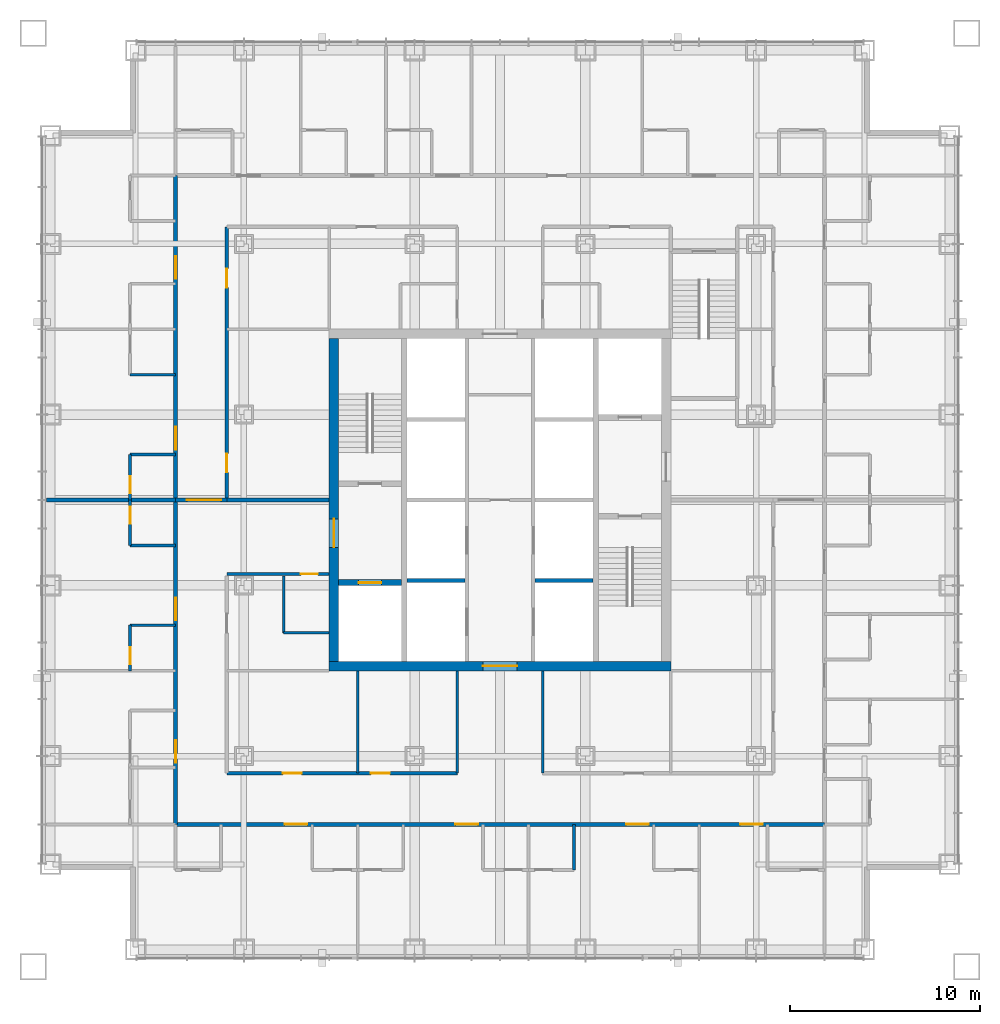
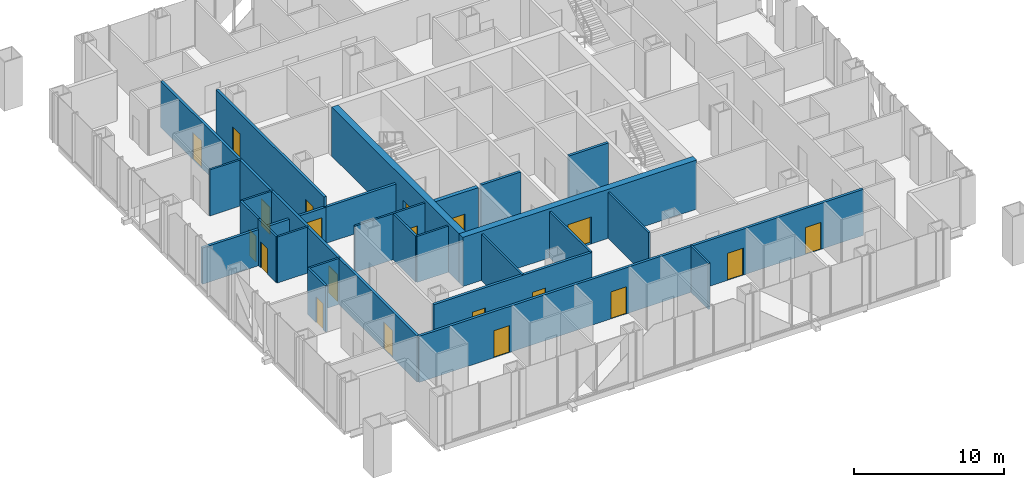
# One storey, part 9 of 18: 26 walls, 20 doors, 20 openings.
"""IFC4 building model written with IfcOpenShell, lengths in metres."""

from ifc_helpers import new_model, si_unit, direction, frame, frame_2d, origin, place, context, subcontext, project, spatial, rectangle, extrude, material, layer, layer_set, type_object, element, fill, save


model = new_model("IFC4")

# Units and contexts
model_context = context("Model", 3, precision=1e-05, world=origin(), true_north=direction((0.0, 1.0)))
body_context = subcontext(model_context, "Body", "Model", "MODEL_VIEW")
ifc_project = project(units=[si_unit("LENGTHUNIT", "METRE"), si_unit("AREAUNIT", "SQUARE_METRE"), si_unit("VOLUMEUNIT", "CUBIC_METRE"), si_unit("PLANEANGLEUNIT", "RADIAN"), si_unit("MASSUNIT", "GRAM", prefix="KILO")], contexts=[model_context])

# Site, building, storey
site_placement = place(None, origin())
site = spatial("IfcSite", under=ifc_project, at=site_placement, CompositionType="ELEMENT")
building_placement = place(site_placement, origin())
building = spatial("IfcBuilding", under=site, at=building_placement, Name="Malebo Sky Hospital", CompositionType="ELEMENT")
storey_placement = place(building_placement, frame((0.0, 0.0, 112.0)))
storey = spatial("IfcBuildingStorey", under=building, at=storey_placement, Name="L26", CompositionType="ELEMENT", Elevation=112.0)

# Walls
ifc_material_1 = material(Name="Concrete C80/95", Category="concrete")
ifc_layer_1 = layer(ifc_material_1, 0.199951171875)
ifc_layer_set_1 = layer_set([ifc_layer_1], Name="CORE INNER WALL 200")
wall_type_1 = type_object("IfcWallType", Name="CORE INNER WALL 200", PredefinedType="SHEAR", material=ifc_layer_set_1)
for number, where, z_axis, x_axis, name in (
    (1, (55.10009765625, 57.75, 0.0), (0.0, 0.0, 1.0), (1.0, 0.0, 0.0), "Core wall SW0 L26"),
    (2, (61.85009765625, 57.75, 0.0), (0.0, 0.0, 1.0), (1.0, 0.0, 0.0), "Core wall SE0 L26"),
):
    element("IfcWall", number, at=place(storey_placement, frame(where, z_axis=z_axis, x_axis=x_axis)), inside=storey, type_object=wall_type_1, Name=name, PredefinedType="SHEAR", context=body_context, shape_type="SweptSolid", body=[
        extrude(rectangle(XDim=3.0498046875, YDim=0.199951171875, at=frame_2d((1.52490234375, 0.0))), origin(), (0.0, 0.0, 1.0), 4.0),
    ])

# Wall, opening, door
ifc_layer_2 = layer(ifc_material_1, 0.300048828125)
ifc_layer_set_2 = layer_set([ifc_layer_2], Name="CORE INNER WALL 300")
wall_type_2 = type_object("IfcWallType", Name="CORE INNER WALL 300", PredefinedType="SHEAR", material=ifc_layer_set_2)
wall_1_placement = place(storey_placement, frame((51.5, 57.64990234375, 0.0), z_axis=(0.0, 0.0, 1.0), x_axis=(1.0, 0.0, 0.0)))
wall_1 = element("IfcWall", 3, at=wall_1_placement, inside=storey, type_object=wall_type_2, Name="Core wall W2 L26", PredefinedType="SHEAR", context=body_context, shape_type="SweptSolid", body=[
    extrude(rectangle(XDim=3.300048828125, YDim=0.300048828125, at=frame_2d((1.64990234375, 0.0))), origin(), (0.0, 0.0, 1.0), 4.0),
])
opening_1_placement = place(wall_1_placement, frame((1.050048828125, 0.0, 0.0)))
opening_1 = element("IfcOpeningElement", 4, at=opening_1_placement, cuts=wall_1, Name="Opening LD2", PredefinedType="OPENING", context=body_context, shape_type="SweptSolid", body=[
    extrude(rectangle(XDim=1.199951171875, YDim=2.199951171875, at=frame_2d((0.60009765625, 1.10009765625))), frame((0.0, 0.159912109375, 0.0), z_axis=(0.0, -1.0, 0.0), x_axis=(1.0, 0.0, 0.0)), (0.0, 0.0, 1.0), 0.320068359375),
])
ifc_material_2 = material(Name="Stainless steel sliding landing door", Category="steel")
door_type_1 = type_object("IfcDoorType", Name="FIRE-FIGHTING LIFT LANDING DOOR 1200", OperationType="SLIDING_TO_LEFT", PredefinedType="DOOR", material=ifc_material_2)
door_1_placement = place(opening_1_placement, origin())
door_1 = element("IfcDoor", 5, at=door_1_placement, inside=storey, type_object=door_type_1, Name="Lift FL1 landing door", OperationType="SLIDING_TO_LEFT", OverallHeight=2.199951171875, OverallWidth=1.199951171875, PredefinedType="DOOR", context=body_context, shape_type="SweptSolid", body=[
    extrude(rectangle(XDim=1.199951171875, YDim=2.199951171875, at=frame_2d((0.60009765625, 1.10009765625))), frame((0.0, 0.02490234375, 0.0), z_axis=(0.0, -1.0, 0.0), x_axis=(1.0, 0.0, 0.0)), (0.0, 0.0, 1.0), 0.050048828125),
])
fill(opening_1, door_1)

ifc_layer_3 = layer(ifc_material_1, 0.5)
ifc_layer_set_3 = layer_set([ifc_layer_3], Name="CORE WALL 500")
wall_type_3 = type_object("IfcWallType", Name="CORE WALL 500", PredefinedType="SHEAR", material=ifc_layer_set_3)
wall_2_placement = place(storey_placement, frame((51.0, 53.25, 0.0), z_axis=(0.0, 0.0, 1.0), x_axis=(1.0, 0.0, 0.0)))
wall_2 = element("IfcWall", 6, at=wall_2_placement, inside=storey, type_object=wall_type_3, Name="Core wall S L26", PredefinedType="SHEAR", context=body_context, shape_type="SweptSolid", body=[
    extrude(rectangle(XDim=18.0, YDim=0.5, at=frame_2d((9.0, 0.0))), origin(), (0.0, 0.0, 1.0), 4.0),
])
opening_2_placement = place(wall_2_placement, frame((8.10009765625, 0.0, 0.0)))
opening_2 = element("IfcOpeningElement", 7, at=opening_2_placement, cuts=wall_2, Name="Opening D06", PredefinedType="OPENING", context=body_context, shape_type="SweptSolid", body=[
    extrude(rectangle(XDim=1.800048828125, YDim=2.199951171875, at=frame_2d((0.89990234375, 1.10009765625))), frame((0.0, 0.260009765625, 0.0), z_axis=(0.0, -1.0, 0.0), x_axis=(1.0, 0.0, 0.0)), (0.0, 0.0, 1.0), 0.52001953125),
])
ifc_material_3 = material(Name="Hardwood-faced door leaf in steel frame", Category="steel")
door_type_2 = type_object("IfcDoorType", Name="LOBBY DOOR PAIR 1800", OperationType="DOUBLE_DOOR_SINGLE_SWING", PredefinedType="DOOR", material=ifc_material_3)
door_2_placement = place(opening_2_placement, origin())
door_2 = element("IfcDoor", 8, at=door_2_placement, inside=storey, type_object=door_type_2, Name="Lift lobby door south", OperationType="DOUBLE_DOOR_SINGLE_SWING", OverallHeight=2.199951171875, OverallWidth=1.800048828125, PredefinedType="DOOR", context=body_context, shape_type="SweptSolid", body=[
    extrude(rectangle(XDim=1.800048828125, YDim=2.199951171875, at=frame_2d((0.89990234375, 1.10009765625))), frame((0.0, 0.02490234375, 0.0), z_axis=(0.0, -1.0, 0.0), x_axis=(1.0, 0.0, 0.0)), (0.0, 0.0, 1.0), 0.050048828125),
])
fill(opening_2, door_2)

wall_3_placement = place(storey_placement, frame((51.25, 53.5, 0.0), z_axis=(0.0, 0.0, 1.0), x_axis=(0.0, 1.0, 0.0)))
wall_3 = element("IfcWall", 9, at=wall_3_placement, inside=storey, type_object=wall_type_3, Name="Core wall W L26", PredefinedType="SHEAR", context=body_context, shape_type="SweptSolid", body=[
    extrude(rectangle(XDim=17.0, YDim=0.5, at=frame_2d((8.5, 0.0))), origin(), (0.0, 0.0, 1.0), 4.0),
])
opening_3_placement = place(wall_3_placement, frame((6.0, 0.0, 0.0)))
opening_3 = element("IfcOpeningElement", 10, at=opening_3_placement, cuts=wall_3, Name="Opening D07", PredefinedType="OPENING", context=body_context, shape_type="SweptSolid", body=[
    extrude(rectangle(XDim=1.5, YDim=2.199951171875, at=frame_2d((0.75, 1.10009765625))), frame((0.0, 0.260009765625, 0.0), z_axis=(0.0, -1.0, 0.0), x_axis=(1.0, 0.0, 0.0)), (0.0, 0.0, 1.0), 0.52001953125),
])
door_type_3 = type_object("IfcDoorType", Name="FIRE-FIGHTING LOBBY DOOR PAIR 1500", OperationType="DOUBLE_DOOR_SINGLE_SWING", PredefinedType="DOOR", material=ifc_material_3)
door_3_placement = place(opening_3_placement, origin())
door_3 = element("IfcDoor", 11, at=door_3_placement, inside=storey, type_object=door_type_3, Name="Fire-fighting lobby door west", OperationType="DOUBLE_DOOR_SINGLE_SWING", OverallHeight=2.199951171875, OverallWidth=1.5, PredefinedType="DOOR", context=body_context, shape_type="SweptSolid", body=[
    extrude(rectangle(XDim=1.5, YDim=2.199951171875, at=frame_2d((0.75, 1.10009765625))), frame((0.0, 0.02490234375, 0.0), z_axis=(0.0, -1.0, 0.0), x_axis=(1.0, 0.0, 0.0)), (0.0, 0.0, 1.0), 0.050048828125),
])
fill(opening_3, door_3)

# Wall, openings, doors
ifc_material_4 = material(Name="Gypsum board on steel studs", Category="steel")
ifc_layer_4 = layer(ifc_material_4, 0.199951171875)
ifc_layer_set_4 = layer_set([ifc_layer_4], Name="CORRIDOR WALL 200")
wall_type_4 = type_object("IfcWallType", Name="CORRIDOR WALL 200", PredefinedType="PARTITIONING", material=ifc_layer_set_4)
wall_4_placement = place(storey_placement, frame((42.89990234375, 44.89990234375, 0.0), z_axis=(0.0, 0.0, 1.0), x_axis=(0.0, 1.0, 0.0)))
wall_4 = element("IfcWall", 12, at=wall_4_placement, inside=storey, type_object=wall_type_4, Name="Corridor Wall 200 WCO", PredefinedType="PARTITIONING", context=body_context, shape_type="SweptSolid", body=[
    extrude(rectangle(XDim=34.2001953125, YDim=0.199951171875, at=frame_2d((17.10009765625, 0.0))), origin(), (0.0, 0.0, 1.0), 3.75),
])
opening_4_placement = place(wall_4_placement, frame((3.25, 0.0, 0.0)))
opening_4 = element("IfcOpeningElement", 13, at=opening_4_placement, cuts=wall_4, Name="Opening D18", PredefinedType="OPENING", context=body_context, shape_type="SweptSolid", body=[
    extrude(rectangle(XDim=1.199951171875, YDim=2.199951171875, at=frame_2d((0.60009765625, 1.10009765625))), frame((0.0, 0.10986328125, 0.0), z_axis=(0.0, -1.0, 0.0), x_axis=(1.0, 0.0, 0.0)), (0.0, 0.0, 1.0), 0.219970703125),
])
opening_5_placement = place(wall_4_placement, frame((10.75, 0.0, 0.0)))
opening_5 = element("IfcOpeningElement", 14, at=opening_5_placement, cuts=wall_4, Name="Opening D01", PredefinedType="OPENING", context=body_context, shape_type="SweptSolid", body=[
    extrude(rectangle(XDim=1.199951171875, YDim=2.199951171875, at=frame_2d((0.60009765625, 1.10009765625))), frame((0.0, 0.10986328125, 0.0), z_axis=(0.0, -1.0, 0.0), x_axis=(1.0, 0.0, 0.0)), (0.0, 0.0, 1.0), 0.219970703125),
])
opening_6_placement = place(wall_4_placement, frame((19.75, 0.0, 0.0)))
opening_6 = element("IfcOpeningElement", 15, at=opening_6_placement, cuts=wall_4, Name="Opening D01", PredefinedType="OPENING", context=body_context, shape_type="SweptSolid", body=[
    extrude(rectangle(XDim=1.199951171875, YDim=2.199951171875, at=frame_2d((0.60009765625, 1.10009765625))), frame((0.0, 0.10986328125, 0.0), z_axis=(0.0, -1.0, 0.0), x_axis=(1.0, 0.0, 0.0)), (0.0, 0.0, 1.0), 0.219970703125),
])
opening_7_placement = place(wall_4_placement, frame((28.75, 0.0, 0.0)))
opening_7 = element("IfcOpeningElement", 16, at=opening_7_placement, cuts=wall_4, Name="Opening D01", PredefinedType="OPENING", context=body_context, shape_type="SweptSolid", body=[
    extrude(rectangle(XDim=1.199951171875, YDim=2.199951171875, at=frame_2d((0.60009765625, 1.10009765625))), frame((0.0, 0.10986328125, 0.0), z_axis=(0.0, -1.0, 0.0), x_axis=(1.0, 0.0, 0.0)), (0.0, 0.0, 1.0), 0.219970703125),
])
door_type_4 = type_object("IfcDoorType", Name="ANTEROOM DOOR 1200", OperationType="SINGLE_SWING_LEFT", PredefinedType="DOOR", material=ifc_material_3)
door_4_placement = place(opening_4_placement, origin())
door_4 = element("IfcDoor", 17, at=door_4_placement, inside=storey, type_object=door_type_4, Name="Anteroom door", OperationType="SINGLE_SWING_LEFT", OverallHeight=2.199951171875, OverallWidth=1.199951171875, PredefinedType="DOOR", context=body_context, shape_type="SweptSolid", body=[
    extrude(rectangle(XDim=1.199951171875, YDim=2.199951171875, at=frame_2d((0.60009765625, 1.10009765625))), frame((0.0, 0.02490234375, 0.0), z_axis=(0.0, -1.0, 0.0), x_axis=(1.0, 0.0, 0.0)), (0.0, 0.0, 1.0), 0.050048828125),
])
fill(opening_4, door_4)
door_type_5 = type_object("IfcDoorType", Name="BED DOOR 1200", OperationType="SINGLE_SWING_LEFT", PredefinedType="DOOR", material=ifc_material_3)
door_5_placement = place(opening_5_placement, origin())
door_5 = element("IfcDoor", 18, at=door_5_placement, inside=storey, type_object=door_type_5, Name="Four-bed bay door", OperationType="SINGLE_SWING_LEFT", OverallHeight=2.199951171875, OverallWidth=1.199951171875, PredefinedType="DOOR", context=body_context, shape_type="SweptSolid", body=[
    extrude(rectangle(XDim=1.199951171875, YDim=2.199951171875, at=frame_2d((0.60009765625, 1.10009765625))), frame((0.0, 0.02490234375, 0.0), z_axis=(0.0, -1.0, 0.0), x_axis=(1.0, 0.0, 0.0)), (0.0, 0.0, 1.0), 0.050048828125),
])
fill(opening_5, door_5)
door_6_placement = place(opening_6_placement, origin())
door_6 = element("IfcDoor", 19, at=door_6_placement, inside=storey, type_object=door_type_5, Name="Four-bed bay door", OperationType="SINGLE_SWING_LEFT", OverallHeight=2.199951171875, OverallWidth=1.199951171875, PredefinedType="DOOR", context=body_context, shape_type="SweptSolid", body=[
    extrude(rectangle(XDim=1.199951171875, YDim=2.199951171875, at=frame_2d((0.60009765625, 1.10009765625))), frame((0.0, 0.02490234375, 0.0), z_axis=(0.0, -1.0, 0.0), x_axis=(1.0, 0.0, 0.0)), (0.0, 0.0, 1.0), 0.050048828125),
])
fill(opening_6, door_6)
door_7_placement = place(opening_7_placement, origin())
door_7 = element("IfcDoor", 20, at=door_7_placement, inside=storey, type_object=door_type_5, Name="Four-bed bay door", OperationType="SINGLE_SWING_LEFT", OverallHeight=2.199951171875, OverallWidth=1.199951171875, PredefinedType="DOOR", context=body_context, shape_type="SweptSolid", body=[
    extrude(rectangle(XDim=1.199951171875, YDim=2.199951171875, at=frame_2d((0.60009765625, 1.10009765625))), frame((0.0, 0.02490234375, 0.0), z_axis=(0.0, -1.0, 0.0), x_axis=(1.0, 0.0, 0.0)), (0.0, 0.0, 1.0), 0.050048828125),
])
fill(opening_7, door_7)

wall_5_placement = place(storey_placement, frame((45.60009765625, 62.0, 0.0), z_axis=(0.0, 0.0, 1.0), x_axis=(0.0, 1.0, 0.0)))
wall_5 = element("IfcWall", 21, at=wall_5_placement, inside=storey, type_object=wall_type_4, Name="Corridor Wall 200 WCI2", PredefinedType="PARTITIONING", context=body_context, shape_type="SweptSolid", body=[
    extrude(rectangle(XDim=14.39990234375, YDim=0.199951171875, at=frame_2d((7.199951171875, 0.0))), origin(), (0.0, 0.0, 1.0), 3.75),
])
opening_8_placement = place(wall_5_placement, frame((1.449951171875, 0.0, 0.0)))
opening_8 = element("IfcOpeningElement", 22, at=opening_8_placement, cuts=wall_5, Name="Opening D03", PredefinedType="OPENING", context=body_context, shape_type="SweptSolid", body=[
    extrude(rectangle(XDim=1.0, YDim=2.10009765625, at=frame_2d((0.5, 1.050048828125))), frame((0.0, 0.10986328125, 0.0), z_axis=(0.0, -1.0, 0.0), x_axis=(1.0, 0.0, 0.0)), (0.0, 0.0, 1.0), 0.219970703125),
])
opening_9_placement = place(wall_5_placement, frame((11.199951171875, 0.0, 0.0)))
opening_9 = element("IfcOpeningElement", 23, at=opening_9_placement, cuts=wall_5, Name="Opening D03", PredefinedType="OPENING", context=body_context, shape_type="SweptSolid", body=[
    extrude(rectangle(XDim=1.0, YDim=2.10009765625, at=frame_2d((0.5, 1.050048828125))), frame((0.0, 0.10986328125, 0.0), z_axis=(0.0, -1.0, 0.0), x_axis=(1.0, 0.0, 0.0)), (0.0, 0.0, 1.0), 0.219970703125),
])
door_type_6 = type_object("IfcDoorType", Name="ROOM DOOR 1000", OperationType="SINGLE_SWING_LEFT", PredefinedType="DOOR", material=ifc_material_3)
door_8_placement = place(opening_8_placement, origin())
door_8 = element("IfcDoor", 24, at=door_8_placement, inside=storey, type_object=door_type_6, Name="Nurse station door", OperationType="SINGLE_SWING_LEFT", OverallHeight=2.10009765625, OverallWidth=1.0, PredefinedType="DOOR", context=body_context, shape_type="SweptSolid", body=[
    extrude(rectangle(XDim=1.0, YDim=2.10009765625, at=frame_2d((0.5, 1.050048828125))), frame((0.0, 0.02490234375, 0.0), z_axis=(0.0, -1.0, 0.0), x_axis=(1.0, 0.0, 0.0)), (0.0, 0.0, 1.0), 0.050048828125),
])
fill(opening_8, door_8)
door_9_placement = place(opening_9_placement, origin())
door_9 = element("IfcDoor", 25, at=door_9_placement, inside=storey, type_object=door_type_6, Name="Clean utility room door", OperationType="SINGLE_SWING_RIGHT", OverallHeight=2.10009765625, OverallWidth=1.0, PredefinedType="DOOR", context=body_context, shape_type="SweptSolid", body=[
    extrude(rectangle(XDim=1.0, YDim=2.10009765625, at=frame_2d((0.5, 1.050048828125))), frame((0.0, 0.02490234375, 0.0), z_axis=(0.0, -1.0, 0.0), x_axis=(1.0, 0.0, 0.0)), (0.0, 0.0, 1.0), 0.050048828125),
])
fill(opening_9, door_9)

wall_6_placement = place(storey_placement, frame((77.10009765625, 44.89990234375, 0.0), z_axis=(0.0, 0.0, 1.0), x_axis=(-1.0, 0.0, 0.0)))
wall_6 = element("IfcWall", 26, at=wall_6_placement, inside=storey, type_object=wall_type_4, Name="Corridor Wall 200 SCO", PredefinedType="PARTITIONING", context=body_context, shape_type="SweptSolid", body=[
    extrude(rectangle(XDim=34.2001953125, YDim=0.199951171875, at=frame_2d((17.10009765625, 0.0))), origin(), (0.0, 0.0, 1.0), 3.75),
])
opening_10_placement = place(wall_6_placement, frame((3.25, 0.0, 0.0)))
opening_10 = element("IfcOpeningElement", 27, at=opening_10_placement, cuts=wall_6, Name="Opening D01", PredefinedType="OPENING", context=body_context, shape_type="SweptSolid", body=[
    extrude(rectangle(XDim=1.199951171875, YDim=2.199951171875, at=frame_2d((0.60009765625, 1.10009765625))), frame((0.0, 0.10986328125, 0.0), z_axis=(0.0, -1.0, 0.0), x_axis=(1.0, 0.0, 0.0)), (0.0, 0.0, 1.0), 0.219970703125),
])
opening_11_placement = place(wall_6_placement, frame((9.25, 0.0, 0.0)))
opening_11 = element("IfcOpeningElement", 28, at=opening_11_placement, cuts=wall_6, Name="Opening D01", PredefinedType="OPENING", context=body_context, shape_type="SweptSolid", body=[
    extrude(rectangle(XDim=1.199951171875, YDim=2.199951171875, at=frame_2d((0.60009765625, 1.10009765625))), frame((0.0, 0.10986328125, 0.0), z_axis=(0.0, -1.0, 0.0), x_axis=(1.0, 0.0, 0.0)), (0.0, 0.0, 1.0), 0.219970703125),
])
opening_12_placement = place(wall_6_placement, frame((18.25, 0.0, 0.0)))
opening_12 = element("IfcOpeningElement", 29, at=opening_12_placement, cuts=wall_6, Name="Opening D01", PredefinedType="OPENING", context=body_context, shape_type="SweptSolid", body=[
    extrude(rectangle(XDim=1.199951171875, YDim=2.199951171875, at=frame_2d((0.60009765625, 1.10009765625))), frame((0.0, 0.10986328125, 0.0), z_axis=(0.0, -1.0, 0.0), x_axis=(1.0, 0.0, 0.0)), (0.0, 0.0, 1.0), 0.219970703125),
])
opening_13_placement = place(wall_6_placement, frame((27.25, 0.0, 0.0)))
opening_13 = element("IfcOpeningElement", 30, at=opening_13_placement, cuts=wall_6, Name="Opening D01", PredefinedType="OPENING", context=body_context, shape_type="SweptSolid", body=[
    extrude(rectangle(XDim=1.199951171875, YDim=2.199951171875, at=frame_2d((0.60009765625, 1.10009765625))), frame((0.0, 0.10986328125, 0.0), z_axis=(0.0, -1.0, 0.0), x_axis=(1.0, 0.0, 0.0)), (0.0, 0.0, 1.0), 0.219970703125),
])
door_10_placement = place(opening_10_placement, origin())
door_10 = element("IfcDoor", 31, at=door_10_placement, inside=storey, type_object=door_type_5, Name="Single bed room door", OperationType="SINGLE_SWING_LEFT", OverallHeight=2.199951171875, OverallWidth=1.199951171875, PredefinedType="DOOR", context=body_context, shape_type="SweptSolid", body=[
    extrude(rectangle(XDim=1.199951171875, YDim=2.199951171875, at=frame_2d((0.60009765625, 1.10009765625))), frame((0.0, 0.02490234375, 0.0), z_axis=(0.0, -1.0, 0.0), x_axis=(1.0, 0.0, 0.0)), (0.0, 0.0, 1.0), 0.050048828125),
])
fill(opening_10, door_10)
door_11_placement = place(opening_11_placement, origin())
door_11 = element("IfcDoor", 32, at=door_11_placement, inside=storey, type_object=door_type_5, Name="Four-bed bay door", OperationType="SINGLE_SWING_LEFT", OverallHeight=2.199951171875, OverallWidth=1.199951171875, PredefinedType="DOOR", context=body_context, shape_type="SweptSolid", body=[
    extrude(rectangle(XDim=1.199951171875, YDim=2.199951171875, at=frame_2d((0.60009765625, 1.10009765625))), frame((0.0, 0.02490234375, 0.0), z_axis=(0.0, -1.0, 0.0), x_axis=(1.0, 0.0, 0.0)), (0.0, 0.0, 1.0), 0.050048828125),
])
fill(opening_11, door_11)
door_12_placement = place(opening_12_placement, origin())
door_12 = element("IfcDoor", 33, at=door_12_placement, inside=storey, type_object=door_type_5, Name="Four-bed bay door", OperationType="SINGLE_SWING_LEFT", OverallHeight=2.199951171875, OverallWidth=1.199951171875, PredefinedType="DOOR", context=body_context, shape_type="SweptSolid", body=[
    extrude(rectangle(XDim=1.199951171875, YDim=2.199951171875, at=frame_2d((0.60009765625, 1.10009765625))), frame((0.0, 0.02490234375, 0.0), z_axis=(0.0, -1.0, 0.0), x_axis=(1.0, 0.0, 0.0)), (0.0, 0.0, 1.0), 0.050048828125),
])
fill(opening_12, door_12)
door_13_placement = place(opening_13_placement, origin())
door_13 = element("IfcDoor", 34, at=door_13_placement, inside=storey, type_object=door_type_5, Name="Four-bed bay door", OperationType="SINGLE_SWING_LEFT", OverallHeight=2.199951171875, OverallWidth=1.199951171875, PredefinedType="DOOR", context=body_context, shape_type="SweptSolid", body=[
    extrude(rectangle(XDim=1.199951171875, YDim=2.199951171875, at=frame_2d((0.60009765625, 1.10009765625))), frame((0.0, 0.02490234375, 0.0), z_axis=(0.0, -1.0, 0.0), x_axis=(1.0, 0.0, 0.0)), (0.0, 0.0, 1.0), 0.050048828125),
])
fill(opening_13, door_13)

wall_7_placement = place(storey_placement, frame((57.75, 47.60009765625, 0.0), z_axis=(0.0, 0.0, 1.0), x_axis=(-1.0, 0.0, 0.0)))
wall_7 = element("IfcWall", 35, at=wall_7_placement, inside=storey, type_object=wall_type_4, Name="Corridor Wall 200 SCI2", PredefinedType="PARTITIONING", context=body_context, shape_type="SweptSolid", body=[
    extrude(rectangle(XDim=12.14990234375, YDim=0.199951171875, at=frame_2d((6.074951171875, 0.0))), origin(), (0.0, 0.0, 1.0), 3.75),
])
opening_14_placement = place(wall_7_placement, frame((3.550048828125, 0.0, 0.0)))
opening_14 = element("IfcOpeningElement", 36, at=opening_14_placement, cuts=wall_7, Name="Opening D03", PredefinedType="OPENING", context=body_context, shape_type="SweptSolid", body=[
    extrude(rectangle(XDim=1.0, YDim=2.10009765625, at=frame_2d((0.5, 1.050048828125))), frame((0.0, 0.10986328125, 0.0), z_axis=(0.0, -1.0, 0.0), x_axis=(1.0, 0.0, 0.0)), (0.0, 0.0, 1.0), 0.219970703125),
])
opening_15_placement = place(wall_7_placement, frame((8.199951171875, 0.0, 0.0)))
opening_15 = element("IfcOpeningElement", 37, at=opening_15_placement, cuts=wall_7, Name="Opening D03", PredefinedType="OPENING", context=body_context, shape_type="SweptSolid", body=[
    extrude(rectangle(XDim=1.0, YDim=2.10009765625, at=frame_2d((0.5, 1.050048828125))), frame((0.0, 0.10986328125, 0.0), z_axis=(0.0, -1.0, 0.0), x_axis=(1.0, 0.0, 0.0)), (0.0, 0.0, 1.0), 0.219970703125),
])
door_14_placement = place(opening_14_placement, origin())
door_14 = element("IfcDoor", 38, at=door_14_placement, inside=storey, type_object=door_type_6, Name="Ward office door", OperationType="SINGLE_SWING_RIGHT", OverallHeight=2.10009765625, OverallWidth=1.0, PredefinedType="DOOR", context=body_context, shape_type="SweptSolid", body=[
    extrude(rectangle(XDim=1.0, YDim=2.10009765625, at=frame_2d((0.5, 1.050048828125))), frame((0.0, 0.02490234375, 0.0), z_axis=(0.0, -1.0, 0.0), x_axis=(1.0, 0.0, 0.0)), (0.0, 0.0, 1.0), 0.050048828125),
])
fill(opening_14, door_14)
door_15_placement = place(opening_15_placement, origin())
door_15 = element("IfcDoor", 39, at=door_15_placement, inside=storey, type_object=door_type_6, Name="Echo room door", OperationType="SINGLE_SWING_RIGHT", OverallHeight=2.10009765625, OverallWidth=1.0, PredefinedType="DOOR", context=body_context, shape_type="SweptSolid", body=[
    extrude(rectangle(XDim=1.0, YDim=2.10009765625, at=frame_2d((0.5, 1.050048828125))), frame((0.0, 0.02490234375, 0.0), z_axis=(0.0, -1.0, 0.0), x_axis=(1.0, 0.0, 0.0)), (0.0, 0.0, 1.0), 0.050048828125),
])
fill(opening_15, door_15)

# Wall, opening, door
ifc_layer_5 = layer(ifc_material_4, 0.14990234375)
ifc_layer_set_5 = layer_set([ifc_layer_5], Name="PARTITION 150")
wall_type_5 = type_object("IfcWallType", Name="PARTITION 150", PredefinedType="PARTITIONING", material=ifc_layer_set_5)
wall_8_placement = place(storey_placement, frame((40.5, 53.0, 0.0), z_axis=(0.0, 0.0, 1.0), x_axis=(0.0, 1.0, 0.0)))
wall_8 = element("IfcWall", 40, at=wall_8_placement, inside=storey, type_object=wall_type_5, Name="Partition 150 WE1F", PredefinedType="PARTITIONING", context=body_context, shape_type="SweptSolid", body=[
    extrude(rectangle(XDim=2.39990234375, YDim=0.14990234375, at=frame_2d((1.199951171875, 0.0))), origin(), (0.0, 0.0, 1.0), 3.75),
])
opening_16_placement = place(wall_8_placement, frame((0.35009765625, 0.0, 0.0)))
opening_16 = element("IfcOpeningElement", 41, at=opening_16_placement, cuts=wall_8, Name="Opening D02", PredefinedType="OPENING", context=body_context, shape_type="SweptSolid", body=[
    extrude(rectangle(XDim=0.89990234375, YDim=2.10009765625, at=frame_2d((0.449951171875, 1.050048828125))), frame((0.0, 0.0849609375, 0.0), z_axis=(0.0, -1.0, 0.0), x_axis=(1.0, 0.0, 0.0)), (0.0, 0.0, 1.0), 0.169921875),
])
door_type_7 = type_object("IfcDoorType", Name="EN-SUITE DOOR 900", OperationType="SINGLE_SWING_LEFT", PredefinedType="DOOR", material=ifc_material_3)
door_16_placement = place(opening_16_placement, origin())
door_16 = element("IfcDoor", 42, at=door_16_placement, inside=storey, type_object=door_type_7, Name="En-suite door", OperationType="SINGLE_SWING_LEFT", OverallHeight=2.10009765625, OverallWidth=0.89990234375, PredefinedType="DOOR", context=body_context, shape_type="SweptSolid", body=[
    extrude(rectangle(XDim=0.89990234375, YDim=2.10009765625, at=frame_2d((0.449951171875, 1.050048828125))), frame((0.0, 0.02490234375, 0.0), z_axis=(0.0, -1.0, 0.0), x_axis=(1.0, 0.0, 0.0)), (0.0, 0.0, 1.0), 0.050048828125),
])
fill(opening_16, door_16)

# Wall
wall_9_placement = place(storey_placement, frame((42.89990234375, 55.39990234375, 0.0), z_axis=(0.0, 0.0, 1.0), x_axis=(-1.0, 0.0, 0.0)))
element("IfcWall", 43, at=wall_9_placement, inside=storey, type_object=wall_type_5, Name="Partition 150 WE1S", PredefinedType="PARTITIONING", context=body_context, shape_type="SweptSolid", body=[
    extrude(rectangle(XDim=2.39990234375, YDim=0.14990234375, at=frame_2d((1.199951171875, 0.0))), origin(), (0.0, 0.0, 1.0), 3.75),
])

# Wall, opening, door
wall_10_placement = place(storey_placement, frame((40.5, 59.60009765625, 0.0), z_axis=(0.0, 0.0, 1.0), x_axis=(0.0, 1.0, 0.0)))
wall_10 = element("IfcWall", 44, at=wall_10_placement, inside=storey, type_object=wall_type_5, Name="Partition 150 WG1F", PredefinedType="PARTITIONING", context=body_context, shape_type="SweptSolid", body=[
    extrude(rectangle(XDim=2.39990234375, YDim=0.14990234375, at=frame_2d((1.199951171875, 0.0))), origin(), (0.0, 0.0, 1.0), 3.75),
])
opening_17_placement = place(wall_10_placement, frame((1.14990234375, 0.0, 0.0)))
opening_17 = element("IfcOpeningElement", 45, at=opening_17_placement, cuts=wall_10, Name="Opening D02", PredefinedType="OPENING", context=body_context, shape_type="SweptSolid", body=[
    extrude(rectangle(XDim=0.89990234375, YDim=2.10009765625, at=frame_2d((0.449951171875, 1.050048828125))), frame((0.0, 0.0849609375, 0.0), z_axis=(0.0, -1.0, 0.0), x_axis=(1.0, 0.0, 0.0)), (0.0, 0.0, 1.0), 0.169921875),
])
door_17_placement = place(opening_17_placement, origin())
door_17 = element("IfcDoor", 46, at=door_17_placement, inside=storey, type_object=door_type_7, Name="En-suite door", OperationType="SINGLE_SWING_RIGHT", OverallHeight=2.10009765625, OverallWidth=0.89990234375, PredefinedType="DOOR", context=body_context, shape_type="SweptSolid", body=[
    extrude(rectangle(XDim=0.89990234375, YDim=2.10009765625, at=frame_2d((0.449951171875, 1.050048828125))), frame((0.0, 0.02490234375, 0.0), z_axis=(0.0, -1.0, 0.0), x_axis=(1.0, 0.0, 0.0)), (0.0, 0.0, 1.0), 0.050048828125),
])
fill(opening_17, door_17)

# Wall
wall_11_placement = place(storey_placement, frame((42.89990234375, 59.60009765625, 0.0), z_axis=(0.0, 0.0, 1.0), x_axis=(-1.0, 0.0, 0.0)))
element("IfcWall", 47, at=wall_11_placement, inside=storey, type_object=wall_type_5, Name="Partition 150 WG1S", PredefinedType="PARTITIONING", context=body_context, shape_type="SweptSolid", body=[
    extrude(rectangle(XDim=2.39990234375, YDim=0.14990234375, at=frame_2d((1.199951171875, 0.0))), origin(), (0.0, 0.0, 1.0), 3.75),
])

# Wall, opening, door
wall_12_placement = place(storey_placement, frame((40.5, 62.0, 0.0), z_axis=(0.0, 0.0, 1.0), x_axis=(0.0, 1.0, 0.0)))
wall_12 = element("IfcWall", 48, at=wall_12_placement, inside=storey, type_object=wall_type_5, Name="Partition 150 WE2F", PredefinedType="PARTITIONING", context=body_context, shape_type="SweptSolid", body=[
    extrude(rectangle(XDim=2.39990234375, YDim=0.14990234375, at=frame_2d((1.199951171875, 0.0))), origin(), (0.0, 0.0, 1.0), 3.75),
])
opening_18_placement = place(wall_12_placement, frame((0.35009765625, 0.0, 0.0)))
opening_18 = element("IfcOpeningElement", 49, at=opening_18_placement, cuts=wall_12, Name="Opening D02", PredefinedType="OPENING", context=body_context, shape_type="SweptSolid", body=[
    extrude(rectangle(XDim=0.89990234375, YDim=2.10009765625, at=frame_2d((0.449951171875, 1.050048828125))), frame((0.0, 0.0849609375, 0.0), z_axis=(0.0, -1.0, 0.0), x_axis=(1.0, 0.0, 0.0)), (0.0, 0.0, 1.0), 0.169921875),
])
door_18_placement = place(opening_18_placement, origin())
door_18 = element("IfcDoor", 50, at=door_18_placement, inside=storey, type_object=door_type_7, Name="En-suite door", OperationType="SINGLE_SWING_LEFT", OverallHeight=2.10009765625, OverallWidth=0.89990234375, PredefinedType="DOOR", context=body_context, shape_type="SweptSolid", body=[
    extrude(rectangle(XDim=0.89990234375, YDim=2.10009765625, at=frame_2d((0.449951171875, 1.050048828125))), frame((0.0, 0.02490234375, 0.0), z_axis=(0.0, -1.0, 0.0), x_axis=(1.0, 0.0, 0.0)), (0.0, 0.0, 1.0), 0.050048828125),
])
fill(opening_18, door_18)

# Walls
for number, where, z_axis, x_axis, name in (
    (51, (42.89990234375, 64.39990234375, 0.0), (0.0, 0.0, 1.0), (-1.0, 0.0, 0.0), "Partition 150 WE2S"),
    (52, (42.89990234375, 68.60009765625, 0.0), (0.0, 0.0, 1.0), (-1.0, 0.0, 0.0), "Partition 150 WG2S"),
):
    element("IfcWall", number, at=place(storey_placement, frame(where, z_axis=z_axis, x_axis=x_axis)), inside=storey, type_object=wall_type_5, Name=name, PredefinedType="PARTITIONING", context=body_context, shape_type="SweptSolid", body=[
        extrude(rectangle(XDim=2.39990234375, YDim=0.14990234375, at=frame_2d((1.199951171875, 0.0))), origin(), (0.0, 0.0, 1.0), 3.75),
    ])

# Wall, opening, door
wall_13_placement = place(storey_placement, frame((51.0, 58.10009765625, 0.0), z_axis=(0.0, 0.0, 1.0), x_axis=(-1.0, 0.0, 0.0)))
wall_13 = element("IfcWall", 53, at=wall_13_placement, inside=storey, type_object=wall_type_5, Name="Partition 150 WSPA", PredefinedType="PARTITIONING", context=body_context, shape_type="SweptSolid", body=[
    extrude(rectangle(XDim=5.39990234375, YDim=0.14990234375, at=frame_2d((2.699951171875, 0.0))), origin(), (0.0, 0.0, 1.0), 3.75),
])
opening_19_placement = place(wall_13_placement, frame((0.60009765625, 0.0, 0.0)))
opening_19 = element("IfcOpeningElement", 54, at=opening_19_placement, cuts=wall_13, Name="Opening D04", PredefinedType="OPENING", context=body_context, shape_type="SweptSolid", body=[
    extrude(rectangle(XDim=0.89990234375, YDim=2.10009765625, at=frame_2d((0.449951171875, 1.050048828125))), frame((0.0, 0.0849609375, 0.0), z_axis=(0.0, -1.0, 0.0), x_axis=(1.0, 0.0, 0.0)), (0.0, 0.0, 1.0), 0.169921875),
])
door_type_8 = type_object("IfcDoorType", Name="ROOM DOOR 900", OperationType="SINGLE_SWING_LEFT", PredefinedType="DOOR", material=ifc_material_3)
door_19_placement = place(opening_19_placement, origin())
door_19 = element("IfcDoor", 55, at=door_19_placement, inside=storey, type_object=door_type_8, Name="Cleaner's room door", OperationType="SINGLE_SWING_LEFT", OverallHeight=2.10009765625, OverallWidth=0.89990234375, PredefinedType="DOOR", context=body_context, shape_type="SweptSolid", body=[
    extrude(rectangle(XDim=0.89990234375, YDim=2.10009765625, at=frame_2d((0.449951171875, 1.050048828125))), frame((0.0, 0.02490234375, 0.0), z_axis=(0.0, -1.0, 0.0), x_axis=(1.0, 0.0, 0.0)), (0.0, 0.0, 1.0), 0.050048828125),
])
fill(opening_19, door_19)

# Walls
wall_14_placement = place(storey_placement, frame((48.60009765625, 55.0, 0.0), z_axis=(0.0, 0.0, 1.0), x_axis=(0.0, 1.0, 0.0)))
element("IfcWall", 56, at=wall_14_placement, inside=storey, type_object=wall_type_5, Name="Partition 150 WSX0", PredefinedType="PARTITIONING", context=body_context, shape_type="SweptSolid", body=[
    extrude(rectangle(XDim=3.0, YDim=0.14990234375, at=frame_2d((1.5, 0.0))), origin(), (0.0, 0.0, 1.0), 3.75),
])
for number, where, z_axis, x_axis, name in (
    (57, (51.0, 55.0, 0.0), (0.0, 0.0, 1.0), (-1.0, 0.0, 0.0), "Partition 150 WSY0"),
    (58, (63.89990234375, 44.89990234375, 0.0), (0.0, 0.0, 1.0), (0.0, -1.0, 0.0), "Partition 150 SG1S"),
):
    element("IfcWall", number, at=place(storey_placement, frame(where, z_axis=z_axis, x_axis=x_axis)), inside=storey, type_object=wall_type_5, Name=name, PredefinedType="PARTITIONING", context=body_context, shape_type="SweptSolid", body=[
        extrude(rectangle(XDim=2.39990234375, YDim=0.14990234375, at=frame_2d((1.199951171875, 0.0))), origin(), (0.0, 0.0, 1.0), 3.75),
    ])
for number, where, z_axis, x_axis, name in (
    (59, (62.25, 53.0, 0.0), (0.0, 0.0, 1.0), (0.0, -1.0, 0.0), "Partition 150 SSPA"),
    (60, (57.75, 53.0, 0.0), (0.0, 0.0, 1.0), (0.0, -1.0, 0.0), "Partition 150 SSPB"),
    (61, (52.5, 53.0, 0.0), (0.0, 0.0, 1.0), (0.0, -1.0, 0.0), "Partition 150 SSP+7.5"),
):
    element("IfcWall", number, at=place(storey_placement, frame(where, z_axis=z_axis, x_axis=x_axis)), inside=storey, type_object=wall_type_5, Name=name, PredefinedType="PARTITIONING", context=body_context, shape_type="SweptSolid", body=[
        extrude(rectangle(XDim=5.39990234375, YDim=0.14990234375, at=frame_2d((2.699951171875, 0.0))), origin(), (0.0, 0.0, 1.0), 3.75),
    ])
ifc_material_5 = material(Name="Concrete blockwork", Category="masonry")
ifc_layer_6 = layer(ifc_material_5, 0.199951171875)
ifc_layer_set_6 = layer_set([ifc_layer_6], Name="SMOKE BARRIER WALL 200")
wall_type_6 = type_object("IfcWallType", Name="SMOKE BARRIER WALL 200", PredefinedType="SOLIDWALL", material=ifc_layer_set_6)
wall_15_placement = place(storey_placement, frame((42.89990234375, 62.0, 0.0), z_axis=(0.0, 0.0, 1.0), x_axis=(-1.0, 0.0, 0.0)))
element("IfcWall", 62, at=wall_15_placement, inside=storey, type_object=wall_type_6, Name="Smoke Barrier Wall 200 WP+0.0", PredefinedType="SOLIDWALL", context=body_context, shape_type="SweptSolid", body=[
    extrude(rectangle(XDim=6.809814453125, YDim=0.199951171875, at=frame_2d((3.40478515625, 0.0))), origin(), (0.0, 0.0, 1.0), 2.949951171875),
])
wall_16_placement = place(storey_placement, frame((51.0, 62.0, 0.0), z_axis=(0.0, 0.0, 1.0), x_axis=(-1.0, 0.0, 0.0)))
element("IfcWall", 63, at=wall_16_placement, inside=storey, type_object=wall_type_6, Name="Smoke Barrier Wall 200 WSPB", PredefinedType="SOLIDWALL", context=body_context, shape_type="SweptSolid", body=[
    extrude(rectangle(XDim=5.39990234375, YDim=0.199951171875, at=frame_2d((2.699951171875, 0.0))), origin(), (0.0, 0.0, 1.0), 2.949951171875),
])

# Wall, opening, door
wall_17_placement = place(storey_placement, frame((45.60009765625, 62.0, 0.0), z_axis=(0.0, 0.0, 1.0), x_axis=(-1.0, 0.0, 0.0)))
wall_17 = element("IfcWall", 64, at=wall_17_placement, inside=storey, type_object=wall_type_6, Name="Smoke Barrier Wall 200 WSB", PredefinedType="SOLIDWALL", context=body_context, shape_type="SweptSolid", body=[
    extrude(rectangle(XDim=2.7001953125, YDim=0.199951171875, at=frame_2d((1.35009765625, 0.0))), origin(), (0.0, 0.0, 1.0), 2.949951171875),
])
opening_20_placement = place(wall_17_placement, frame((0.300048828125, 0.0, 0.0)))
opening_20 = element("IfcOpeningElement", 65, at=opening_20_placement, cuts=wall_17, Name="Opening D05", PredefinedType="OPENING", context=body_context, shape_type="SweptSolid", body=[
    extrude(rectangle(XDim=1.800048828125, YDim=2.199951171875, at=frame_2d((0.89990234375, 1.10009765625))), frame((0.0, 0.10986328125, 0.0), z_axis=(0.0, -1.0, 0.0), x_axis=(1.0, 0.0, 0.0)), (0.0, 0.0, 1.0), 0.219970703125),
])
door_type_9 = type_object("IfcDoorType", Name="SMOKE DOOR PAIR 1800", OperationType="DOUBLE_DOOR_DOUBLE_SWING", PredefinedType="DOOR", material=ifc_material_3)
door_20_placement = place(opening_20_placement, origin())
door_20 = element("IfcDoor", 66, at=door_20_placement, inside=storey, type_object=door_type_9, Name="Smoke compartment door pair", OperationType="DOUBLE_DOOR_DOUBLE_SWING", OverallHeight=2.199951171875, OverallWidth=1.800048828125, PredefinedType="DOOR", context=body_context, shape_type="SweptSolid", body=[
    extrude(rectangle(XDim=1.800048828125, YDim=2.199951171875, at=frame_2d((0.89990234375, 1.10009765625))), frame((0.0, 0.02490234375, 0.0), z_axis=(0.0, -1.0, 0.0), x_axis=(1.0, 0.0, 0.0)), (0.0, 0.0, 1.0), 0.050048828125),
])
fill(opening_20, door_20)

save(model, "model.ifc")
